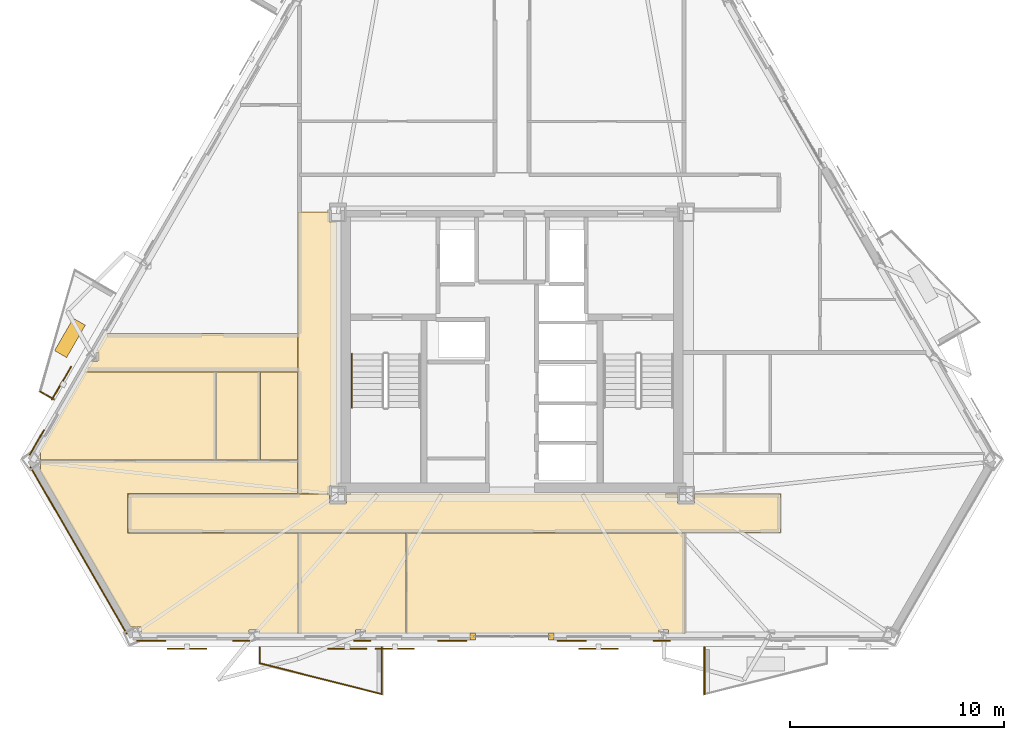
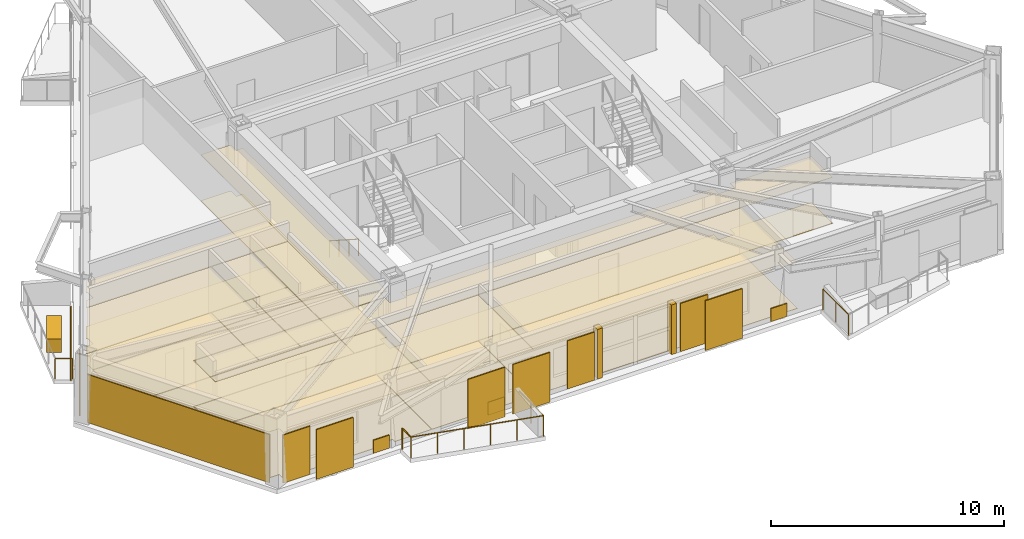
# One storey, part 11 of 14: 29 coverings, 6 railings, 5 shading devices.
"""IFC4 building model written with IfcOpenShell, lengths in metres."""

from ifc_helpers import new_model, si_unit, direction, frame, origin, origin_2d, place, context, subcontext, project, spatial, polyline, rectangle, circle, outline, extrude, material, layer, layer_set, type_object, element, save


model = new_model("IFC4")

# Units and contexts
model_context = context("Model", 3, precision=1e-05, world=origin(), true_north=direction((0.0, 1.0)))
body_context = subcontext(model_context, "Body", "Model", "MODEL_VIEW")
ifc_project = project(units=[si_unit("LENGTHUNIT", "METRE"), si_unit("AREAUNIT", "SQUARE_METRE"), si_unit("VOLUMEUNIT", "CUBIC_METRE"), si_unit("PLANEANGLEUNIT", "RADIAN"), si_unit("MASSUNIT", "GRAM", prefix="KILO")], contexts=[model_context])

# Site, building, storey
site_placement = place(None, origin())
site = spatial("IfcSite", under=ifc_project, at=site_placement, CompositionType="ELEMENT")
building_placement = place(site_placement, origin())
building = spatial("IfcBuilding", under=site, at=building_placement, Name="Oramaril Tower", CompositionType="ELEMENT")
storey_placement = place(building_placement, frame((0.0, 0.0, 149.39990234375)))
storey = spatial("IfcBuildingStorey", under=building, at=storey_placement, Name="L39", CompositionType="ELEMENT", Elevation=149.39990234375)

# Coverings
ifc_material_1 = material(Name="Mineral Fibre Acoustic Ceiling")
ifc_layer_1 = layer(ifc_material_1, 0.02001953125)
ifc_layer_set_1 = layer_set([ifc_layer_1], Name="CVT-CEIL")
covering_type_1 = type_object("IfcCoveringType", Name="CVT-CEIL", PredefinedType="CEILING", material=ifc_layer_set_1)
covering_1_placement = place(storey_placement, frame((0.0, 0.0, 2.412109375)))
element("IfcCovering", 1, at=covering_1_placement, inside=storey, type_object=covering_type_1, Name="L39 Acoustic Suspended Ceiling 1", PredefinedType="CEILING", context=body_context, shape_type="SweptSolid", body=[
    extrude(outline(polyline([(28.955078125, 10.60498046875), (29.7451171875, 10.60498046875), (29.7451171875, 11.030029296875), (45.2548828125, 11.030029296875), (45.2548828125, 10.60498046875), (46.044921875, 10.60498046875), (46.044921875, 11.030029296875), (50.080078125, 11.030029296875), (50.080078125, 9.219970703125), (19.52001953125, 9.219970703125), (19.52001953125, 11.030029296875), (28.955078125, 11.030029296875), (28.955078125, 10.60498046875)])), origin(), (0.0, 0.0, 1.0), 0.02001953125),
])
covering_2_placement = place(storey_placement, frame((0.0, 0.0, 2.412109375)))
element("IfcCovering", 2, at=covering_2_placement, inside=storey, type_object=covering_type_1, Name="L39 Acoustic Suspended Ceiling 3", PredefinedType="CEILING", context=body_context, shape_type="SweptSolid", body=[
    extrude(outline(polyline([(28.955078125, 23.7548828125), (29.280029296875, 23.7548828125), (29.280029296875, 11.39501953125), (28.955078125, 11.39501953125), (28.955078125, 11.050048828125), (27.469970703125, 11.050048828125), (27.469970703125, 24.219970703125), (28.955078125, 24.219970703125), (28.955078125, 23.7548828125)])), origin(), (0.0, 0.0, 1.0), 0.02001953125),
])
covering_3_placement = place(storey_placement, frame((0.0, 0.0, 2.412109375)))
element("IfcCovering", 3, at=covering_3_placement, inside=storey, type_object=covering_type_1, Name="L39 Acoustic Suspended Ceiling 5", PredefinedType="CEILING", context=body_context, shape_type="SweptSolid", body=[
    extrude(outline(polyline([(17.4794921875, 16.77001953125), (17.756103515625, 17.248779296875), (18.110595703125, 17.248779296875), (18.110595703125, 17.746337890625), (18.043212890625, 17.746337890625), (18.49560546875, 18.530029296875), (27.449951171875, 18.530029296875), (27.449951171875, 16.77001953125), (17.4794921875, 16.77001953125)])), origin(), (0.0, 0.0, 1.0), 0.02001953125),
])
covering_4_placement = place(storey_placement, frame((0.0, 0.0, 2.412109375)))
element("IfcCovering", 4, at=covering_4_placement, inside=storey, type_object=covering_type_1, Name="L39 Acoustic Suspended Ceiling 6", PredefinedType="CEILING", context=body_context, shape_type="SweptSolid", body=[
    extrude(outline(polyline([(44.827392578125, 4.653564453125), (44.375, 4.653564453125), (44.375, 4.46484375), (32.55078125, 4.46484375), (32.55078125, 9.199951171875), (45.60205078125, 9.199951171875), (45.60205078125, 4.46484375), (44.827392578125, 4.46484375), (44.827392578125, 4.653564453125)])), origin(), (0.0, 0.0, 1.0), 0.02001953125),
])
covering_5_placement = place(storey_placement, frame((0.0, 0.0, 2.412109375)))
element("IfcCovering", 5, at=covering_5_placement, inside=storey, type_object=covering_type_1, Name="L39 Acoustic Suspended Ceiling 7", PredefinedType="CEILING", context=body_context, shape_type="SweptSolid", body=[
    extrude(outline(polyline([(30.625, 4.653564453125), (30.172607421875, 4.653564453125), (30.172607421875, 4.46484375), (27.508056640625, 4.46484375), (27.508056640625, 9.199951171875), (32.53076171875, 9.199951171875), (32.53076171875, 4.46484375), (30.625, 4.46484375), (30.625, 4.653564453125)])), origin(), (0.0, 0.0, 1.0), 0.02001953125),
])
covering_6_placement = place(storey_placement, frame((0.0, 0.0, 2.412109375)))
element("IfcCovering", 6, at=covering_6_placement, inside=storey, type_object=covering_type_1, Name="L39 Acoustic Suspended Ceiling 8", PredefinedType="CEILING", context=body_context, shape_type="SweptSolid", body=[
    extrude(outline(polyline([(25.658935546875, 4.46484375), (25.658935546875, 4.653564453125), (25.197021484375, 4.653564453125), (25.197021484375, 4.46484375), (20.134033203125, 4.46484375), (20.134033203125, 4.80419921875), (19.63037109375, 4.80419921875), (15.37548828125, 12.173828125), (15.41796875, 12.173828125), (15.41796875, 12.592041015625), (27.449951171875, 12.592041015625), (27.449951171875, 11.050048828125), (19.52001953125, 11.050048828125), (19.51806640625, 11.0498046875), (19.51611328125, 11.049560546875), (19.51416015625, 11.049072265625), (19.51220703125, 11.048583984375), (19.510498046875, 11.047607421875), (19.5087890625, 11.046630859375), (19.50732421875, 11.04541015625), (19.505859375, 11.044189453125), (19.50439453125, 11.042724609375), (19.50341796875, 11.041015625), (19.50244140625, 11.039306640625), (19.50146484375, 11.03759765625), (19.5009765625, 11.035888671875), (19.50048828125, 11.033935546875), (19.5, 11.031982421875), (19.5, 11.030029296875), (19.5, 9.219970703125), (19.5, 9.218017578125), (19.50048828125, 9.216064453125), (19.5009765625, 9.214111328125), (19.50146484375, 9.21240234375), (19.50244140625, 9.210693359375), (19.50341796875, 9.208984375), (19.50439453125, 9.207275390625), (19.505859375, 9.205810546875), (19.50732421875, 9.20458984375), (19.5087890625, 9.203369140625), (19.510498046875, 9.202392578125), (19.51220703125, 9.201416015625), (19.51416015625, 9.200927734375), (19.51611328125, 9.200439453125), (19.51806640625, 9.2001953125), (19.52001953125, 9.199951171875), (27.488037109375, 9.199951171875), (27.488037109375, 4.46484375), (25.658935546875, 4.46484375)])), origin(), (0.0, 0.0, 1.0), 0.02001953125),
])
covering_7_placement = place(storey_placement, frame((0.0, 0.0, 2.412109375)))
element("IfcCovering", 7, at=covering_7_placement, inside=storey, type_object=covering_type_1, Name="L39 Acoustic Suspended Ceiling 9", PredefinedType="CEILING", context=body_context, shape_type="SweptSolid", body=[
    extrude(outline(polyline([(23.652099609375, 12.612060546875), (15.41796875, 12.612060546875), (15.41796875, 12.981689453125), (15.336181640625, 12.981689453125), (17.511962890625, 16.75), (23.652099609375, 16.75), (23.652099609375, 12.612060546875)])), origin(), (0.0, 0.0, 1.0), 0.02001953125),
])
covering_8_placement = place(storey_placement, frame((0.0, 0.0, 2.412109375)))
element("IfcCovering", 8, at=covering_8_placement, inside=storey, type_object=covering_type_1, Name="L39 Acoustic Suspended Ceiling 10", PredefinedType="CEILING", context=body_context, shape_type="SweptSolid", body=[
    extrude(outline(polyline([(25.701904296875, 12.612060546875), (23.672119140625, 12.612060546875), (23.672119140625, 16.75), (25.701904296875, 16.75), (25.701904296875, 12.612060546875)])), origin(), (0.0, 0.0, 1.0), 0.02001953125),
])
covering_9_placement = place(storey_placement, frame((0.0, 0.0, 2.412109375)))
element("IfcCovering", 9, at=covering_9_placement, inside=storey, type_object=covering_type_1, Name="L39 Acoustic Suspended Ceiling 11", PredefinedType="CEILING", context=body_context, shape_type="SweptSolid", body=[
    extrude(outline(polyline([(25.721923828125, 16.75), (27.449951171875, 16.75), (27.449951171875, 12.612060546875), (25.721923828125, 12.612060546875), (25.721923828125, 16.75)])), origin(), (0.0, 0.0, 1.0), 0.02001953125),
])
ifc_material_2 = material(Name="Warm Cream Limestone", Category="masonry")
ifc_layer_2 = layer(ifc_material_2, 0.050048828125)
ifc_layer_set_2 = layer_set([ifc_layer_2], Name="CVT-CLD")
covering_type_2 = type_object("IfcCoveringType", Name="CVT-CLD", PredefinedType="CLADDING", material=ifc_layer_set_2)
covering_10_placement = place(storey_placement, frame((17.2138671875, 8.3876953125, 0.0400390625), z_axis=(0.0, 0.0, 1.0), x_axis=(0.4999984885, -0.866026276448, 0.0)))
element("IfcCovering", 10, at=covering_10_placement, inside=storey, type_object=covering_type_2, Name="L39 Warm Cream Limestone Cladding", PredefinedType="CLADDING", context=body_context, shape_type="SweptSolid", body=[
    extrude(rectangle(XDim=9.031982421875, YDim=0.050048828125, at=origin_2d()), origin(), (0.0, 0.0, 1.0), 2.52001953125),
])
for number, where, z_axis, x_axis, name in (
    (11, (35.669921875, 4.356689453125, 0.0), (0.0, 0.0, 1.0), (1.0, 0.0, 0.0), "L39 Curtain Wall Limestone Jamb Closure"),
    (12, (39.330078125, 4.356689453125, 0.0), (0.0, 0.0, 1.0), (1.0, 0.0, 0.0), "L39 Curtain Wall Limestone Jamb Closure"),
):
    element("IfcCovering", number, at=place(storey_placement, frame(where, z_axis=z_axis, x_axis=x_axis)), inside=storey, type_object=covering_type_2, Name=name, PredefinedType="CLADDING", context=body_context, shape_type="SweptSolid", body=[
        extrude(rectangle(XDim=0.260009765625, YDim=0.340087890625, at=origin_2d()), origin(), (0.0, 0.0, 1.0), 2.60009765625),
    ])
for number, where, z_axis, x_axis, name in (
    (13, (20.614013671875, 4.163818359375, 0.0400390625), (0.0, 0.0, 1.0), (1.0, 0.0, 0.0), "L39 Warm Cream Limestone Cladding"),
    (14, (34.699951171875, 4.163818359375, 0.0400390625), (0.0, 0.0, 1.0), (1.0, 0.0, 0.0), "L39 Warm Cream Limestone Cladding"),
):
    element("IfcCovering", number, at=place(storey_placement, frame(where, z_axis=z_axis, x_axis=x_axis)), inside=storey, type_object=covering_type_2, Name=name, PredefinedType="CLADDING", context=body_context, shape_type="SweptSolid", body=[
        extrude(rectangle(XDim=1.35009765625, YDim=0.050048828125, at=origin_2d()), origin(), (0.0, 0.0, 1.0), 2.52001953125),
    ])
for number, where, z_axis, x_axis, name in (
    (15, (24.8154296875, 4.163818359375, 0.0400390625), (0.0, 0.0, 1.0), (1.0, 0.0, 0.0), "L39 Warm Cream Limestone Spandrel Cladding"),
    (16, (30.49853515625, 4.163818359375, 0.0400390625), (0.0, 0.0, 1.0), (1.0, 0.0, 0.0), "L39 Warm Cream Limestone Spandrel Cladding"),
):
    element("IfcCovering", number, at=place(storey_placement, frame(where, z_axis=z_axis, x_axis=x_axis)), inside=storey, type_object=covering_type_2, Name=name, PredefinedType="CLADDING", context=body_context, shape_type="SweptSolid", body=[
        extrude(rectangle(XDim=0.800048828125, YDim=0.050048828125, at=origin_2d()), origin(), (0.0, 0.0, 1.0), 0.679931640625),
    ])
covering_11_placement = place(storey_placement, frame((40.300048828125, 4.163818359375, 0.0400390625), z_axis=(0.0, 0.0, 1.0), x_axis=(1.0, 0.0, 0.0)))
element("IfcCovering", 17, at=covering_11_placement, inside=storey, type_object=covering_type_2, Name="L39 Warm Cream Limestone Cladding", PredefinedType="CLADDING", context=body_context, shape_type="SweptSolid", body=[
    extrude(rectangle(XDim=1.35009765625, YDim=0.050048828125, at=origin_2d()), origin(), (0.0, 0.0, 1.0), 2.52001953125),
])
covering_12_placement = place(storey_placement, frame((44.50146484375, 4.163818359375, 0.0400390625), z_axis=(0.0, 0.0, 1.0), x_axis=(1.0, 0.0, 0.0)))
element("IfcCovering", 18, at=covering_12_placement, inside=storey, type_object=covering_type_2, Name="L39 Warm Cream Limestone Spandrel Cladding", PredefinedType="CLADDING", context=body_context, shape_type="SweptSolid", body=[
    extrude(rectangle(XDim=0.800048828125, YDim=0.050048828125, at=origin_2d()), origin(), (0.0, 0.0, 1.0), 0.679931640625),
])
covering_13_placement = place(storey_placement, frame((15.255859375, 13.4443359375, 0.0400390625), z_axis=(0.0, 0.0, 1.0), x_axis=(-0.5, -0.866025403784, 0.0)))
element("IfcCovering", 19, at=covering_13_placement, inside=storey, type_object=covering_type_2, Name="L39 Warm Cream Limestone Cladding", PredefinedType="CLADDING", context=body_context, shape_type="SweptSolid", body=[
    extrude(rectangle(XDim=1.35009765625, YDim=0.050048828125, at=origin_2d()), origin(), (0.0, 0.0, 1.0), 2.52001953125),
])
covering_14_placement = place(storey_placement, frame((16.8046875, 18.33447265625, 0.0), z_axis=(0.0, 0.0, 1.0), x_axis=(-0.500001511499, -0.866024531118, 0.0)))
element("IfcCovering", 20, at=covering_14_placement, inside=storey, type_object=covering_type_2, Name="L39 Structural Tree Planter Box L39-BAL-NW2", PredefinedType="CLADDING", context=body_context, shape_type="SweptSolid", body=[
    extrude(rectangle(XDim=1.75, YDim=0.64990234375, at=origin_2d()), origin(), (0.0, 0.0, 1.0), 0.699951171875),
])
ifc_material_3 = material(Name="Honed Quartzite Stone Flooring", Category="masonry")
ifc_layer_3 = layer(ifc_material_3, 0.02490234375)
ifc_layer_set_3 = layer_set([ifc_layer_3], Name="CVT-FLR")
covering_type_3 = type_object("IfcCoveringType", Name="CVT-FLR", PredefinedType="FLOORING", material=ifc_layer_set_3)
covering_15_placement = place(storey_placement, origin())
element("IfcCovering", 21, at=covering_15_placement, inside=storey, type_object=covering_type_3, Name="L39 Honed Stone Floor Finish 1", PredefinedType="FLOORING", context=body_context, shape_type="SweptSolid", body=[
    extrude(outline(polyline([(28.955078125, 10.60498046875), (29.7451171875, 10.60498046875), (29.7451171875, 11.030029296875), (45.2548828125, 11.030029296875), (45.2548828125, 10.60498046875), (46.044921875, 10.60498046875), (46.044921875, 11.030029296875), (50.080078125, 11.030029296875), (50.080078125, 9.219970703125), (19.52001953125, 9.219970703125), (19.52001953125, 11.030029296875), (28.955078125, 11.030029296875), (28.955078125, 10.60498046875)])), origin(), (0.0, 0.0, 1.0), 0.025146484375),
])
covering_16_placement = place(storey_placement, origin())
element("IfcCovering", 22, at=covering_16_placement, inside=storey, type_object=covering_type_3, Name="L39 Honed Stone Floor Finish 3", PredefinedType="FLOORING", context=body_context, shape_type="SweptSolid", body=[
    extrude(outline(polyline([(28.955078125, 23.7548828125), (29.280029296875, 23.7548828125), (29.280029296875, 11.39501953125), (28.955078125, 11.39501953125), (28.955078125, 11.050048828125), (27.469970703125, 11.050048828125), (27.469970703125, 24.219970703125), (28.955078125, 24.219970703125), (28.955078125, 23.7548828125)])), origin(), (0.0, 0.0, 1.0), 0.025146484375),
])
covering_17_placement = place(storey_placement, origin())
element("IfcCovering", 23, at=covering_17_placement, inside=storey, type_object=covering_type_3, Name="L39 Honed Stone Floor Finish 5", PredefinedType="FLOORING", context=body_context, shape_type="SweptSolid", body=[
    extrude(outline(polyline([(17.4794921875, 16.77001953125), (17.756103515625, 17.248779296875), (18.110595703125, 17.248779296875), (18.110595703125, 17.746337890625), (18.043212890625, 17.746337890625), (18.49560546875, 18.530029296875), (27.449951171875, 18.530029296875), (27.449951171875, 16.77001953125), (17.4794921875, 16.77001953125)])), origin(), (0.0, 0.0, 1.0), 0.025146484375),
])
covering_18_placement = place(storey_placement, origin())
element("IfcCovering", 24, at=covering_18_placement, inside=storey, type_object=covering_type_3, Name="L39 Honed Stone Floor Finish 6", PredefinedType="FLOORING", context=body_context, shape_type="SweptSolid", body=[
    extrude(outline(polyline([(44.827392578125, 4.653564453125), (44.375, 4.653564453125), (44.375, 4.46484375), (32.55078125, 4.46484375), (32.55078125, 9.199951171875), (45.60205078125, 9.199951171875), (45.60205078125, 4.46484375), (44.827392578125, 4.46484375), (44.827392578125, 4.653564453125)])), origin(), (0.0, 0.0, 1.0), 0.025146484375),
])
covering_19_placement = place(storey_placement, origin())
element("IfcCovering", 25, at=covering_19_placement, inside=storey, type_object=covering_type_3, Name="L39 Honed Stone Floor Finish 7", PredefinedType="FLOORING", context=body_context, shape_type="SweptSolid", body=[
    extrude(outline(polyline([(30.625, 4.653564453125), (30.172607421875, 4.653564453125), (30.172607421875, 4.46484375), (27.508056640625, 4.46484375), (27.508056640625, 9.199951171875), (32.53076171875, 9.199951171875), (32.53076171875, 4.46484375), (30.625, 4.46484375), (30.625, 4.653564453125)])), origin(), (0.0, 0.0, 1.0), 0.025146484375),
])
covering_20_placement = place(storey_placement, origin())
element("IfcCovering", 26, at=covering_20_placement, inside=storey, type_object=covering_type_3, Name="L39 Honed Stone Floor Finish 8", PredefinedType="FLOORING", context=body_context, shape_type="SweptSolid", body=[
    extrude(outline(polyline([(25.658935546875, 4.46484375), (25.658935546875, 4.653564453125), (25.197021484375, 4.653564453125), (25.197021484375, 4.46484375), (20.134033203125, 4.46484375), (20.134033203125, 4.80419921875), (19.63037109375, 4.80419921875), (15.37548828125, 12.173828125), (15.41796875, 12.173828125), (15.41796875, 12.592041015625), (27.449951171875, 12.592041015625), (27.449951171875, 11.050048828125), (19.52001953125, 11.050048828125), (19.51806640625, 11.0498046875), (19.51611328125, 11.049560546875), (19.51416015625, 11.049072265625), (19.51220703125, 11.048583984375), (19.510498046875, 11.047607421875), (19.5087890625, 11.046630859375), (19.50732421875, 11.04541015625), (19.505859375, 11.044189453125), (19.50439453125, 11.042724609375), (19.50341796875, 11.041015625), (19.50244140625, 11.039306640625), (19.50146484375, 11.03759765625), (19.5009765625, 11.035888671875), (19.50048828125, 11.033935546875), (19.5, 11.031982421875), (19.5, 11.030029296875), (19.5, 9.219970703125), (19.5, 9.218017578125), (19.50048828125, 9.216064453125), (19.5009765625, 9.214111328125), (19.50146484375, 9.21240234375), (19.50244140625, 9.210693359375), (19.50341796875, 9.208984375), (19.50439453125, 9.207275390625), (19.505859375, 9.205810546875), (19.50732421875, 9.20458984375), (19.5087890625, 9.203369140625), (19.510498046875, 9.202392578125), (19.51220703125, 9.201416015625), (19.51416015625, 9.200927734375), (19.51611328125, 9.200439453125), (19.51806640625, 9.2001953125), (19.52001953125, 9.199951171875), (27.488037109375, 9.199951171875), (27.488037109375, 4.46484375), (25.658935546875, 4.46484375)])), origin(), (0.0, 0.0, 1.0), 0.025146484375),
])
covering_21_placement = place(storey_placement, origin())
element("IfcCovering", 27, at=covering_21_placement, inside=storey, type_object=covering_type_3, Name="L39 Honed Stone Floor Finish 9", PredefinedType="FLOORING", context=body_context, shape_type="SweptSolid", body=[
    extrude(outline(polyline([(23.652099609375, 12.612060546875), (15.41796875, 12.612060546875), (15.41796875, 12.981689453125), (15.336181640625, 12.981689453125), (17.511962890625, 16.75), (23.652099609375, 16.75), (23.652099609375, 12.612060546875)])), origin(), (0.0, 0.0, 1.0), 0.025146484375),
])
covering_22_placement = place(storey_placement, origin())
element("IfcCovering", 28, at=covering_22_placement, inside=storey, type_object=covering_type_3, Name="L39 Honed Stone Floor Finish 10", PredefinedType="FLOORING", context=body_context, shape_type="SweptSolid", body=[
    extrude(outline(polyline([(25.701904296875, 12.612060546875), (23.672119140625, 12.612060546875), (23.672119140625, 16.75), (25.701904296875, 16.75), (25.701904296875, 12.612060546875)])), origin(), (0.0, 0.0, 1.0), 0.025146484375),
])
covering_23_placement = place(storey_placement, origin())
element("IfcCovering", 29, at=covering_23_placement, inside=storey, type_object=covering_type_3, Name="L39 Honed Stone Floor Finish 11", PredefinedType="FLOORING", context=body_context, shape_type="SweptSolid", body=[
    extrude(outline(polyline([(25.721923828125, 16.75), (27.449951171875, 16.75), (27.449951171875, 12.612060546875), (25.721923828125, 12.612060546875), (25.721923828125, 16.75)])), origin(), (0.0, 0.0, 1.0), 0.025146484375),
])

# Railings
ifc_material_4 = material(Name="Stainless Steel 316L", Category="steel")
railing_type_1 = type_object("IfcRailingType", Name="RLT-GRD", PredefinedType="GUARDRAIL", material=ifc_material_4)
railing_1_placement = place(storey_placement, frame((31.413330078125, 3.848876953125, 0.0)))
element("IfcRailing", 30, at=railing_1_placement, inside=storey, type_object=railing_type_1, Name="L39 Balcony Guardrail L39-BAL-S1.1", PredefinedType="GUARDRAIL", context=body_context, shape_type="SweptSolid", body=[
    extrude(circle(Radius=0.02392578125, at=origin_2d()), frame((0.0, 0.0, 1.076171875), z_axis=(0.0, -1.0, 0.0), x_axis=(1.0, 0.0, 0.0)), (0.0, 0.0, 1.0), 2.192138671875),
    extrude(circle(Radius=0.02099609375, at=origin_2d()), origin(), (0.0, 0.0, 1.0), 1.052001953125),
    extrude(circle(Radius=0.02099609375, at=origin_2d()), frame((0.0, -1.09619140625, 0.0)), (0.0, 0.0, 1.0), 1.052001953125),
    extrude(circle(Radius=0.02099609375, at=origin_2d()), frame((0.0, -2.192138671875, 0.0)), (0.0, 0.0, 1.0), 1.052001953125),
])
railing_2_placement = place(storey_placement, frame((31.413330078125, 1.65673828125, 0.0)))
element("IfcRailing", 31, at=railing_2_placement, inside=storey, type_object=railing_type_1, Name="L39 Balcony Guardrail L39-BAL-S1.2", PredefinedType="GUARDRAIL", context=body_context, shape_type="SweptSolid", body=[
    extrude(circle(Radius=0.02392578125, at=origin_2d()), frame((0.0, 0.0, 1.076171875), z_axis=(-0.969443611257, 0.245314256807, 0.0), x_axis=(-0.245314256807, -0.969443611257, 0.0)), (0.0, 0.0, 1.0), 5.91064453125),
    extrude(circle(Radius=0.02099609375, at=origin_2d()), origin(), (0.0, 0.0, 1.0), 1.052001953125),
    extrude(circle(Radius=0.02099609375, at=origin_2d()), frame((-1.14599609375, 0.2900390625, 0.0)), (0.0, 0.0, 1.0), 1.052001953125),
    extrude(circle(Radius=0.02099609375, at=origin_2d()), frame((-2.2919921875, 0.580078125, 0.0)), (0.0, 0.0, 1.0), 1.052001953125),
    extrude(circle(Radius=0.02099609375, at=origin_2d()), frame((-3.43798828125, 0.869873046875, 0.0)), (0.0, 0.0, 1.0), 1.052001953125),
    extrude(circle(Radius=0.02099609375, at=origin_2d()), frame((-4.583984375, 1.159912109375, 0.0)), (0.0, 0.0, 1.0), 1.052001953125),
    extrude(circle(Radius=0.02099609375, at=origin_2d()), frame((-5.72998046875, 1.449951171875, 0.0)), (0.0, 0.0, 1.0), 1.052001953125),
])
railing_3_placement = place(storey_placement, frame((25.683349609375, 3.106689453125, 0.0)))
element("IfcRailing", 32, at=railing_3_placement, inside=storey, type_object=railing_type_1, Name="L39 Balcony Guardrail L39-BAL-S1.3", PredefinedType="GUARDRAIL", context=body_context, shape_type="SweptSolid", body=[
    extrude(circle(Radius=0.02392578125, at=origin_2d()), frame((0.0, 0.0, 1.076171875), z_axis=(0.0, 1.0, 0.0), x_axis=(-1.0, 0.0, 0.0)), (0.0, 0.0, 1.0), 0.7421875),
    extrude(circle(Radius=0.02099609375, at=origin_2d()), origin(), (0.0, 0.0, 1.0), 1.052001953125),
    extrude(circle(Radius=0.02099609375, at=origin_2d()), frame((0.0, 0.7421875, 0.0)), (0.0, 0.0, 1.0), 1.052001953125),
])
railing_4_placement = place(storey_placement, frame((46.51171875, 1.65673828125, 0.0)))
element("IfcRailing", 33, at=railing_4_placement, inside=storey, type_object=railing_type_1, Name="L39 Balcony Guardrail L39-BAL-S2.3", PredefinedType="GUARDRAIL", context=body_context, shape_type="SweptSolid", body=[
    extrude(circle(Radius=0.02392578125, at=origin_2d()), frame((0.0, 0.0, 1.076171875), z_axis=(0.0, 1.0, 0.0), x_axis=(-1.0, 0.0, 0.0)), (0.0, 0.0, 1.0), 2.192138671875),
    extrude(circle(Radius=0.02099609375, at=origin_2d()), origin(), (0.0, 0.0, 1.0), 1.052001953125),
    extrude(circle(Radius=0.02099609375, at=origin_2d()), frame((0.0, 1.09619140625, 0.0)), (0.0, 0.0, 1.0), 1.052001953125),
    extrude(circle(Radius=0.02099609375, at=origin_2d()), frame((0.0, 2.192138671875, 0.0)), (0.0, 0.0, 1.0), 1.052001953125),
])
railing_5_placement = place(storey_placement, frame((16.05517578125, 15.458984375, 0.0)))
element("IfcRailing", 34, at=railing_5_placement, inside=storey, type_object=railing_type_1, Name="L39 Balcony Guardrail L39-BAL-NW2.1", PredefinedType="GUARDRAIL", context=body_context, shape_type="SweptSolid", body=[
    extrude(circle(Radius=0.02392578125, at=origin_2d()), frame((0.0, 0.0, 1.076171875), z_axis=(-0.865966403178, 0.500102178127, 0.0), x_axis=(-0.500102178127, -0.865966403178, 0.0)), (0.0, 0.0, 1.0), 0.741943359375),
    extrude(circle(Radius=0.02099609375, at=origin_2d()), origin(), (0.0, 0.0, 1.0), 1.052001953125),
    extrude(circle(Radius=0.02099609375, at=origin_2d()), frame((-0.642578125, 0.37109375, 0.0)), (0.0, 0.0, 1.0), 1.052001953125),
])
ifc_material_5 = material(Name="Stainless Steel 316L", Category="steel")
railing_type_2 = type_object("IfcRailingType", Name="RLT-HND", PredefinedType="HANDRAIL", material=ifc_material_5)
railing_6_placement = place(storey_placement, frame((30.0, 17.590087890625, 0.18017578125)))
element("IfcRailing", 35, at=railing_6_placement, inside=storey, type_object=railing_type_2, Name="L39 ST-1 stair handrail 1", PredefinedType="HANDRAIL", context=body_context, shape_type="SweptSolid", body=[
    extrude(circle(Radius=0.02392578125, at=origin_2d()), frame((0.0, 0.0, 0.8759765625), z_axis=(0.0, -0.841199657755, 0.540724639528), x_axis=(1.0, 0.0, 0.0)), (0.0, 0.0, 1.0), 2.995849609375),
    extrude(circle(Radius=0.02099609375, at=origin_2d()), origin(), (0.0, 0.0, 1.0), 0.851806640625),
    extrude(circle(Radius=0.02099609375, at=origin_2d()), frame((0.0, -0.840087890625, 0.5400390625)), (0.0, 0.0, 1.0), 0.851806640625),
    extrude(circle(Radius=0.02099609375, at=origin_2d()), frame((0.0, -1.679931640625, 1.079833984375)), (0.0, 0.0, 1.0), 0.851806640625),
    extrude(circle(Radius=0.02099609375, at=origin_2d()), frame((0.0, -2.52001953125, 1.619873046875)), (0.0, 0.0, 1.0), 0.851806640625),
])

# Shading devices
for number, where, z_axis, x_axis, name in (
    (36, (32.01806640625, 3.77685546875, -0.02001953125), (0.0, 0.0, 1.0), (1.0, 0.0, 0.0), "L39 Perforated Ceramic Solar Screen"),
    (37, (29.787109375, 3.77685546875, -0.02001953125), (0.0, 0.0, 1.0), (1.0, 0.0, 0.0), "L39 Perforated Ceramic Solar Screen"),
    (38, (22.285888671875, 3.77685546875, -0.02001953125), (0.0, 0.0, 1.0), (1.0, 0.0, 0.0), "L39 Perforated Ceramic Solar Screen"),
    (39, (41.552978515625, 3.77685546875, -0.02001953125), (0.0, 0.0, 1.0), (1.0, 0.0, 0.0), "L39 Perforated Ceramic Solar Screen"),
    (40, (16.406494140625, 16.21142578125, -0.02001953125), (0.0, 0.0, 1.0), (-0.5, -0.866025403784, 0.0), "L39 Perforated Ceramic Solar Screen"),
):
    element("IfcShadingDevice", number, at=place(storey_placement, frame(where, z_axis=z_axis, x_axis=x_axis)), inside=storey, Name=name, ObjectType="SCREEN", PredefinedType="USERDEFINED", context=body_context, shape_type="SweptSolid", body=[
        extrude(rectangle(XDim=1.8330078125, YDim=0.050048828125, at=origin_2d()), origin(), (0.0, 0.0, 1.0), 2.60009765625),
    ])

save(model, "model.ifc")
